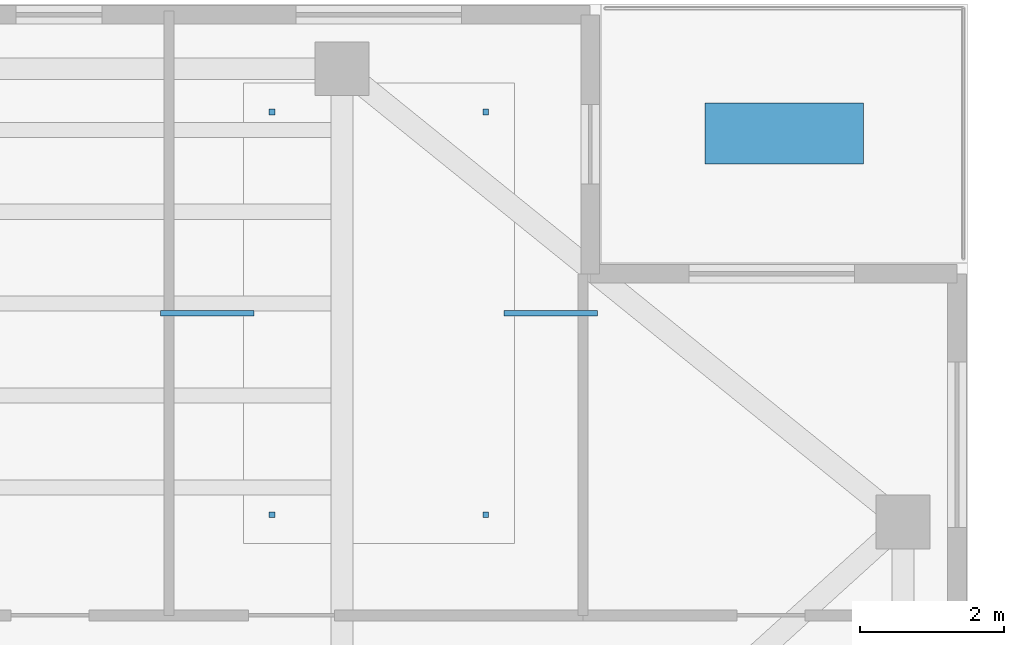
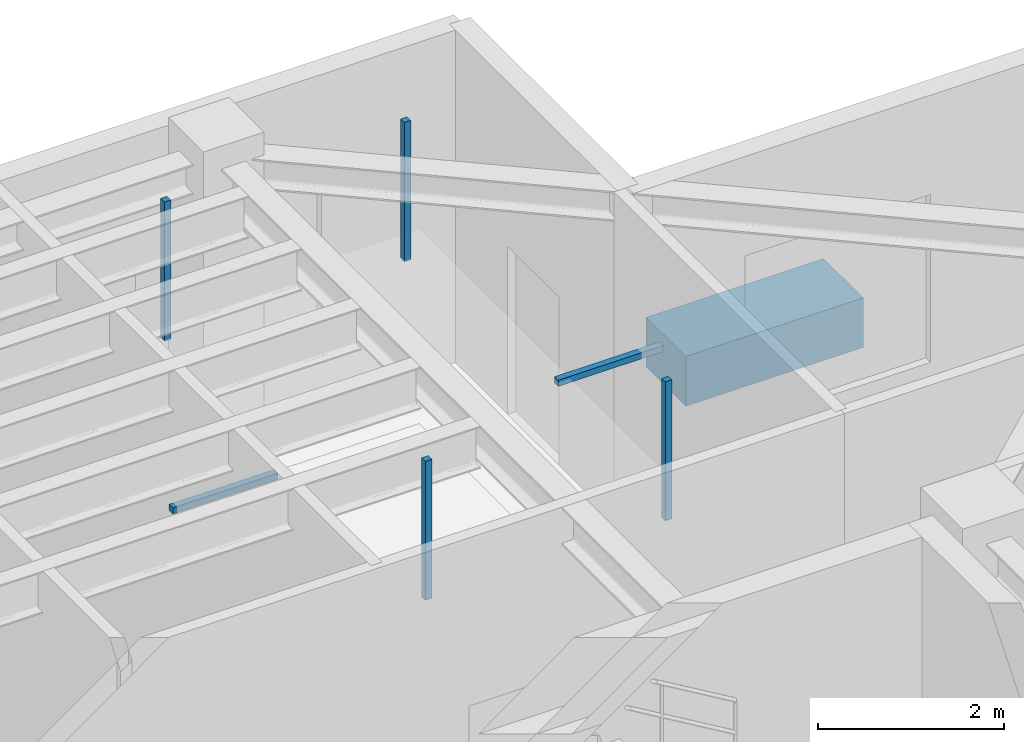
# One storey, part 18 of 23: 7 discrete accessories.
"""IFC4 building model written with IfcOpenShell, lengths in metres."""

from ifc_helpers import new_model, si_unit, direction, frame, origin, origin_2d, place, context, subcontext, project, spatial, rectangle, extrude, material, type_object, element, save


model = new_model("IFC4")

# Units and contexts
model_context = context("Model", 3, precision=1e-05, world=origin(), true_north=direction((0.0, 1.0)))
body_context = subcontext(model_context, "Body", "Model", "MODEL_VIEW")
ifc_project = project(units=[si_unit("LENGTHUNIT", "METRE"), si_unit("AREAUNIT", "SQUARE_METRE"), si_unit("VOLUMEUNIT", "CUBIC_METRE"), si_unit("PLANEANGLEUNIT", "RADIAN"), si_unit("MASSUNIT", "GRAM", prefix="KILO")], contexts=[model_context])

# Site, building, storey
site_placement = place(None, origin())
site = spatial("IfcSite", under=ifc_project, at=site_placement, CompositionType="ELEMENT")
building_placement = place(site_placement, origin())
building = spatial("IfcBuilding", under=site, at=building_placement, Name="Tarnavaz Court Tower", CompositionType="ELEMENT")
storey_placement = place(building_placement, frame((0.0, 0.0, 227.10009765625)))
storey = spatial("IfcBuildingStorey", under=building, at=storey_placement, Name="L62", CompositionType="ELEMENT", Elevation=227.10009765625)

# Discrete accessories
ifc_material_1 = material(Name="Anodised Aluminium 6063-T6", Category="aluminium")
discrete_accessory_type_1 = type_object("IfcDiscreteAccessoryType", Name="DA-BRKT-ALU", PredefinedType="BRACKET", material=ifc_material_1)
for number, where, z_axis, x_axis, name in (
    (1, (14.028076171875, 13.89990234375, 2.56005859375), (0.0, 0.0, 1.0), (1.0, 0.0, 0.0), "L62 Ceiling Suspension Hanger Bracket 03-1"),
    (2, (17.0, 13.89990234375, 2.56005859375), (0.0, 0.0, 1.0), (1.0, 0.0, 0.0), "L62 Ceiling Suspension Hanger Bracket 03-2"),
    (3, (17.0, 19.5, 2.56005859375), (0.0, 0.0, 1.0), (1.0, 0.0, 0.0), "L62 Ceiling Suspension Hanger Bracket 03-3"),
    (4, (14.028076171875, 19.5, 2.56005859375), (0.0, 0.0, 1.0), (1.0, 0.0, 0.0), "L62 Ceiling Suspension Hanger Bracket 03-4"),
):
    element("IfcDiscreteAccessory", number, at=place(storey_placement, frame(where, z_axis=z_axis, x_axis=x_axis)), inside=storey, type_object=discrete_accessory_type_1, Name=name, PredefinedType="BRACKET", context=body_context, shape_type="SweptSolid", body=[
        extrude(rectangle(XDim=0.080078125, YDim=0.080078125, at=origin_2d()), origin(), (0.0, 0.0, 1.0), 1.820068359375),
    ])
for number, where, z_axis, x_axis, name in (
    (5, (13.1279296875, 16.699951171875, 2.5224609375), (0.0, 0.0, 1.0), (1.0, 0.0, 0.0), "L62 Ceiling Perimeter Wall-Tie Bracket 03-1"),
    (6, (17.89990234375, 16.699951171875, 2.5224609375), (0.0, 0.0, 1.0), (1.0, 0.0, 0.0), "L62 Ceiling Perimeter Wall-Tie Bracket 03-2"),
):
    element("IfcDiscreteAccessory", number, at=place(storey_placement, frame(where, z_axis=z_axis, x_axis=x_axis)), inside=storey, type_object=discrete_accessory_type_1, Name=name, PredefinedType="BRACKET", context=body_context, shape_type="SweptSolid", body=[
        extrude(rectangle(XDim=1.300048828125, YDim=0.080078125, at=origin_2d()), origin(), (0.0, 0.0, 1.0), 0.080078125),
    ])
ifc_material_2 = material(Name="Terracotta Architectural Planter Trough", Category="masonry")
discrete_accessory_type_2 = type_object("IfcDiscreteAccessoryType", Name="DA-PLANTER-TC", PredefinedType="USERDEFINED", material=ifc_material_2)
discrete_accessory_placement = place(storey_placement, frame((21.14990234375, 19.199951171875, 0.0), z_axis=(0.0, 0.0, 1.0), x_axis=(1.0, 0.0, 0.0)))
element("IfcDiscreteAccessory", 7, at=discrete_accessory_placement, inside=storey, type_object=discrete_accessory_type_2, Name="L62 Chahar-Bagh Terracotta Landscape Planter 1", ObjectType="PLANTER", PredefinedType="USERDEFINED", context=body_context, shape_type="SweptSolid", body=[
    extrude(rectangle(XDim=2.199951171875, YDim=0.85009765625, at=origin_2d()), origin(), (0.0, 0.0, 1.0), 0.64990234375),
])

save(model, "model.ifc")
